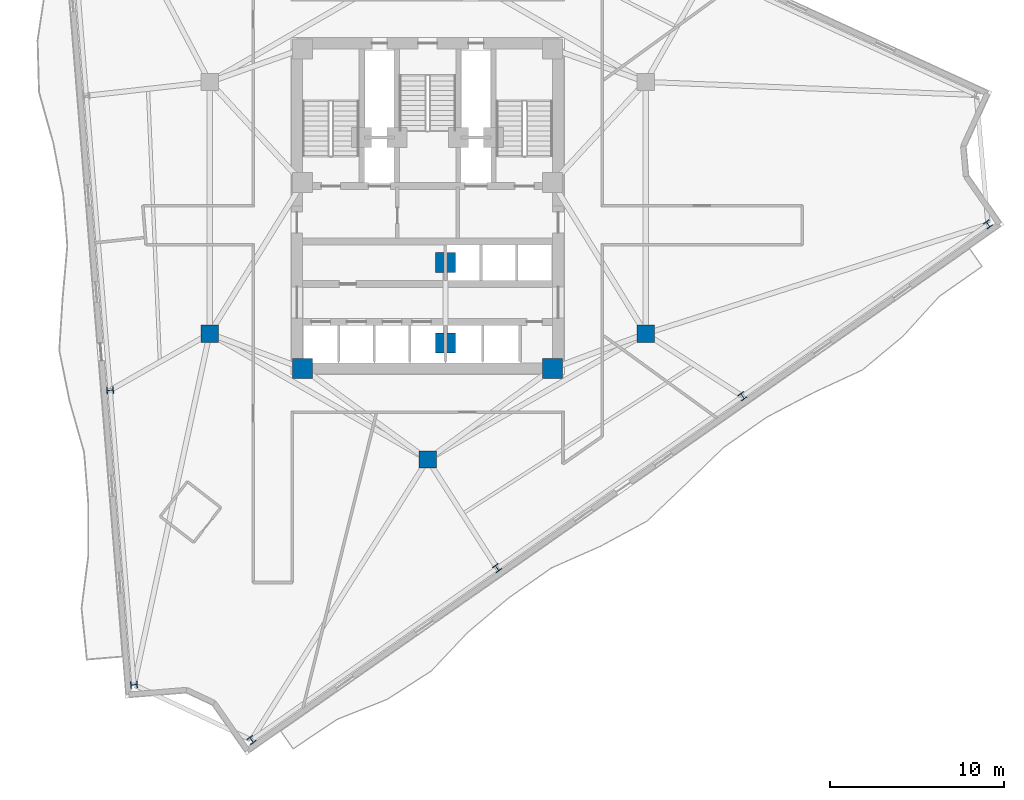
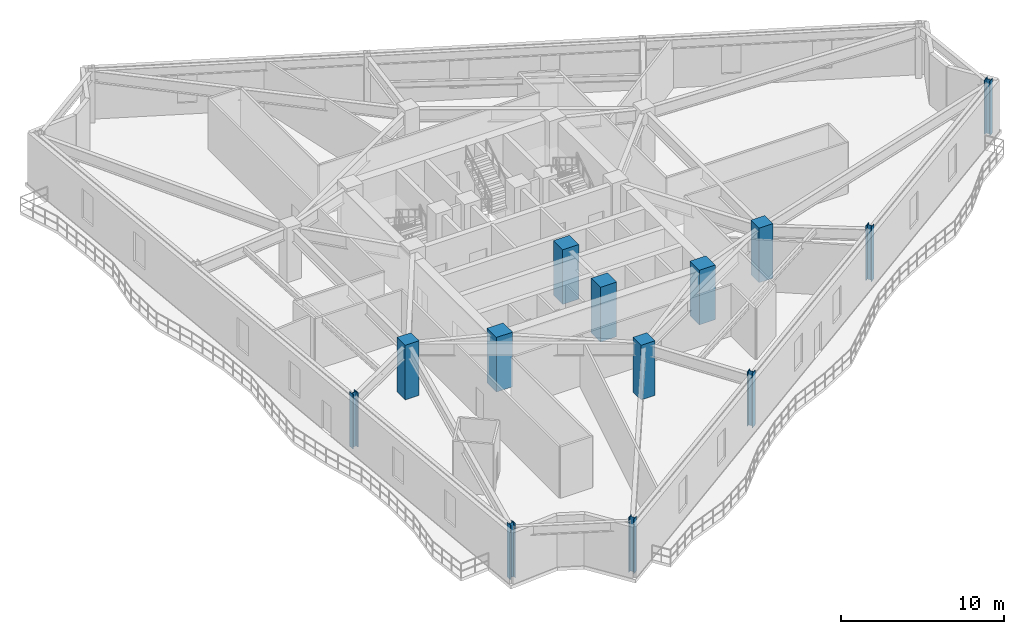
# One storey, part 1 of 10: 13 columns.
"""IFC4 building model written with IfcOpenShell, lengths in metres."""

from ifc_helpers import new_model, si_unit, direction, frame, origin, origin_2d, place, context, subcontext, project, spatial, rectangle, i_section, extrude, material, material_profile, profile_set, type_object, element, save


model = new_model("IFC4")

# Units and contexts
model_context = context("Model", 3, precision=1e-05, world=origin(), true_north=direction((0.0, 1.0)))
body_context = subcontext(model_context, "Body", "Model", "MODEL_VIEW")
ifc_project = project(units=[si_unit("LENGTHUNIT", "METRE"), si_unit("AREAUNIT", "SQUARE_METRE"), si_unit("VOLUMEUNIT", "CUBIC_METRE"), si_unit("PLANEANGLEUNIT", "RADIAN"), si_unit("MASSUNIT", "GRAM", prefix="KILO")], contexts=[model_context])

# Site, building, storey
site_placement = place(None, origin())
site = spatial("IfcSite", under=ifc_project, at=site_placement, CompositionType="ELEMENT")
building_placement = place(site_placement, origin())
building = spatial("IfcBuilding", under=site, at=building_placement, Name="Apsidion Concourse Tower", CompositionType="ELEMENT")
storey_placement = place(building_placement, frame((0.0, 0.0, 218.800048828125)))
storey = spatial("IfcBuildingStorey", under=building, at=storey_placement, Name="L51", CompositionType="ELEMENT", Elevation=218.800048828125)

# Columns
ifc_material_1 = material(Name="Concrete C50/60", Category="concrete")
ifc_material_profile_1 = material_profile(ifc_material_1, rectangle(XDim=1.0, YDim=1.0, at=origin_2d()), Name="RC 1000x1000")
ifc_profile_set_1 = profile_set([ifc_material_profile_1], Name="Concrete C50/60")
column_type_1 = type_object("IfcColumnType", Name="COL-RC-1000", PredefinedType="COLUMN", material=ifc_profile_set_1)
for number, where, z_axis, x_axis, name in (
    (1, (-12.56005859375, -7.25, 0.0), (0.0, 0.0, 1.0), (1.0, 0.0, 0.0), "L51 Interior Spine Column IC1"),
    (2, (12.56005859375, -7.25, 0.0), (0.0, 0.0, 1.0), (1.0, 0.0, 0.0), "L51 Interior Spine Column IC2"),
    (3, (0.0, -14.5, 0.0), (0.0, 0.0, 1.0), (1.0, 0.0, 0.0), "L51 Interior Spine Column IC6"),
):
    element("IfcColumn", number, at=place(storey_placement, frame(where, z_axis=z_axis, x_axis=x_axis)), inside=storey, type_object=column_type_1, Name=name, PredefinedType="COLUMN", context=body_context, shape_type="SweptSolid", body=[
        extrude(rectangle(XDim=1.0, YDim=1.0, at=origin_2d()), origin(), (0.0, 0.0, 1.0), 4.099853515625),
    ])
ifc_material_profile_2 = material_profile(ifc_material_1, rectangle(XDim=1.14990234375, YDim=1.14990234375, at=origin_2d()), Name="RC 1150x1150")
ifc_profile_set_2 = profile_set([ifc_material_profile_2], Name="Concrete C50/60")
column_type_2 = type_object("IfcColumnType", Name="COL-RC-1150", PredefinedType="COLUMN", material=ifc_profile_set_2)
for number, where, z_axis, x_axis, name in (
    (4, (-7.199951171875, -9.25, 0.0), (0.0, 0.0, 1.0), (1.0, 0.0, 0.0), "L51 Core Super-Column SC1"),
    (5, (7.199951171875, -9.25, 0.0), (0.0, 0.0, 1.0), (1.0, 0.0, 0.0), "L51 Core Super-Column SC2"),
    (6, (1.02490234375, -3.14990234375, 0.0), (0.0, 0.0, 1.0), (1.0, 0.0, 0.0), "L51 Core Super-Column CC5"),
    (7, (1.02490234375, -7.800048828125, 0.0), (0.0, 0.0, 1.0), (1.0, 0.0, 0.0), "L51 Core Super-Column CC6"),
):
    element("IfcColumn", number, at=place(storey_placement, frame(where, z_axis=z_axis, x_axis=x_axis)), inside=storey, type_object=column_type_2, Name=name, PredefinedType="COLUMN", context=body_context, shape_type="SweptSolid", body=[
        extrude(rectangle(XDim=1.14990234375, YDim=1.14990234375, at=origin_2d()), origin(), (0.0, 0.0, 1.0), 4.099853515625),
    ])
ifc_material_2 = material(Name="Structural steel ASTM A992 Grade 50", Category="steel")
ifc_material_profile_3 = material_profile(ifc_material_2, i_section(OverallWidth=0.39892578125, OverallDepth=0.385986328125, WebThickness=0.02099609375, FlangeThickness=0.033203125, at=origin_2d()), Name="W14X176")
ifc_profile_set_3 = profile_set([ifc_material_profile_3], Name="Structural steel ASTM A992 Grade 50")
column_type_3 = type_object("IfcColumnType", Name="COL-W14-176", PredefinedType="COLUMN", material=ifc_profile_set_3)
for number, where, z_axis, x_axis, name in (
    (8, (-18.28955078125, -10.510498046875, 0.0), (0.0, 0.0, 1.0), (-0.080720825512, 0.996736749763, 0.0), "L51 Rotated Perimeter Column PC03"),
    (9, (-16.915283203125, -27.47216796875, 0.0), (0.0, 0.0, 1.0), (-0.080720825512, 0.996736749763, 0.0), "L51 Rotated Perimeter Column PC04"),
    (10, (-10.14404296875, -30.65625, 0.0), (0.0, 0.0, 1.0), (0.819152044289, 0.573576436351, 0.0), "L51 Rotated Perimeter Column PC05"),
    (11, (3.996337890625, -20.755126953125, 0.0), (0.0, 0.0, 1.0), (0.819152044289, 0.573576436351, 0.0), "L51 Rotated Perimeter Column PC06"),
    (12, (18.13671875, -10.85400390625, 0.0), (0.0, 0.0, 1.0), (0.819152044289, 0.573576436351, 0.0), "L51 Rotated Perimeter Column PC07"),
    (13, (32.27685546875, -0.952880859375, 0.0), (0.0, 0.0, 1.0), (0.819152044289, 0.573576436351, 0.0), "L51 Rotated Perimeter Column PC08"),
):
    element("IfcColumn", number, at=place(storey_placement, frame(where, z_axis=z_axis, x_axis=x_axis)), inside=storey, type_object=column_type_3, Name=name, PredefinedType="COLUMN", context=body_context, shape_type="SweptSolid", body=[
        extrude(i_section(OverallWidth=0.39892578125, OverallDepth=0.385986328125, WebThickness=0.02099609375, FlangeThickness=0.033203125, at=origin_2d()), origin(), (0.0, 0.0, 1.0), 4.099853515625),
    ])

save(model, "model.ifc")
